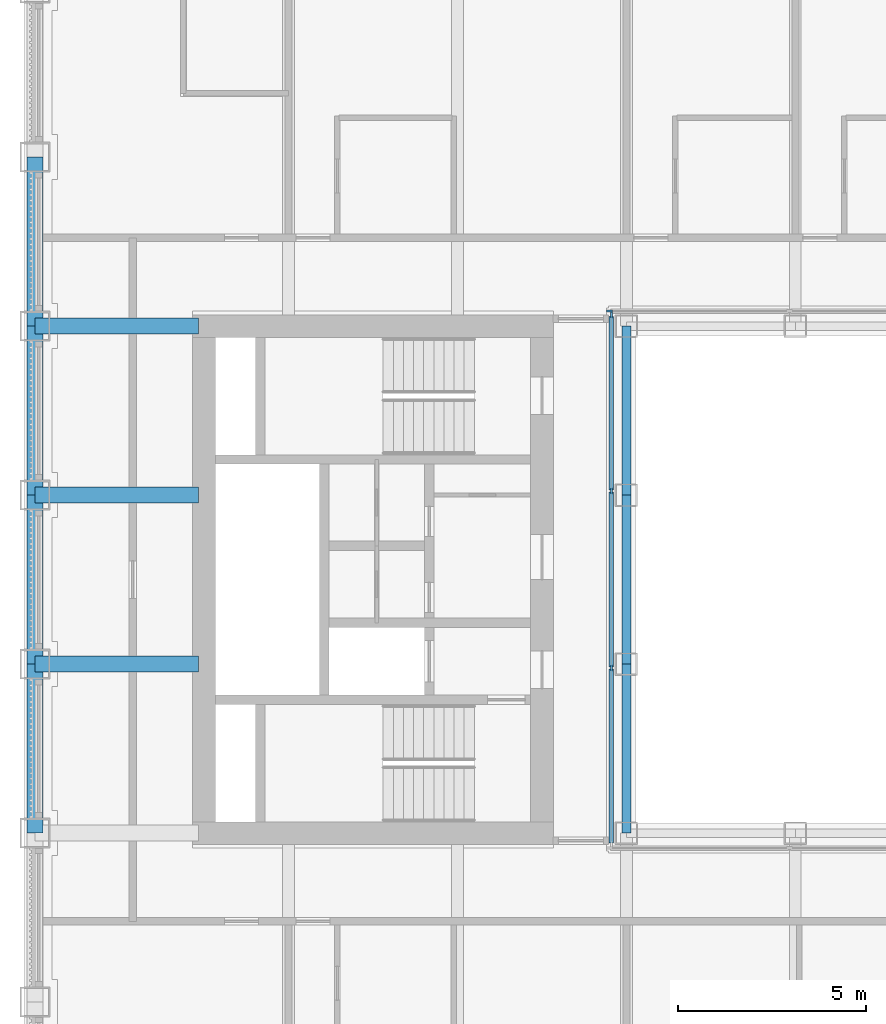
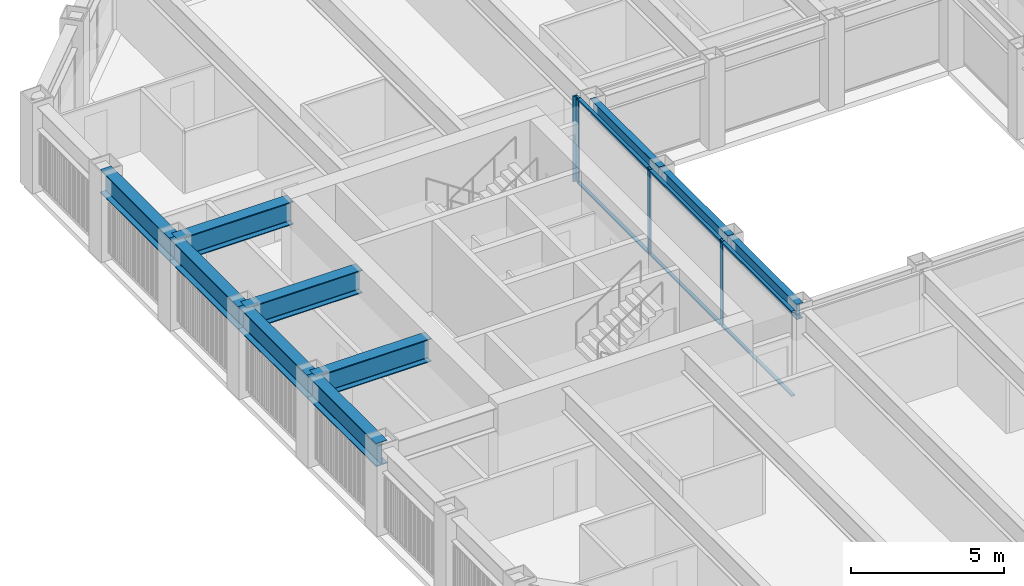
# One storey, part 4 of 17: 10 beams, 10 members, 2 elements without a shape of their own.
"""IFC4 building model written with IfcOpenShell, lengths in metres."""

from ifc_helpers import new_model, si_unit, direction, frame, origin, origin_2d, place, context, subcontext, project, spatial, rectangle, i_section, extrude, material, material_profile, profile_set, type_object, element, aggregate, save


model = new_model("IFC4")

# Units and contexts
model_context = context("Model", 3, precision=1e-05, world=origin(), true_north=direction((0.0, 1.0)))
body_context = subcontext(model_context, "Body", "Model", "MODEL_VIEW")
ifc_project = project(units=[si_unit("LENGTHUNIT", "METRE"), si_unit("AREAUNIT", "SQUARE_METRE"), si_unit("VOLUMEUNIT", "CUBIC_METRE"), si_unit("PLANEANGLEUNIT", "RADIAN"), si_unit("MASSUNIT", "GRAM", prefix="KILO")], contexts=[model_context])

# Site, building, storey
site_placement = place(None, origin())
site = spatial("IfcSite", under=ifc_project, at=site_placement, CompositionType="ELEMENT")
building_placement = place(site_placement, origin())
building = spatial("IfcBuilding", under=site, at=building_placement, Name="Msasa Ring Tower", CompositionType="ELEMENT")
storey_placement = place(building_placement, frame((0.0, 0.0, 168.800048828125)))
storey = spatial("IfcBuildingStorey", under=building, at=storey_placement, Name="L44", CompositionType="ELEMENT", Elevation=168.800048828125)

# Curtain wall, member
ifc_material_1 = material(Name="Aluminium curtain wall with clear glass", Category="aluminium")
curtain_wall_type = type_object("IfcCurtainWallType", Name="CW-W LIGHT WELL CURTAIN WALL", PredefinedType="NOTDEFINED", material=ifc_material_1)
curtain_wall_1_placement = place(storey_placement, origin())
curtain_wall_1 = element("IfcCurtainWall", 1, at=curtain_wall_1_placement, inside=storey, type_object=curtain_wall_type, Name="Light well curtain wall N L44", PredefinedType="NOTDEFINED")
ifc_material_2 = material(Name="Aluminium mullion", Category="aluminium")
ifc_material_profile_1 = material_profile(ifc_material_2, rectangle(XDim=0.06005859375, YDim=0.159912109375, at=origin_2d()), Name="AL 60x160")
ifc_profile_set_1 = profile_set([ifc_material_profile_1], Name="Aluminium mullion")
member_type_1 = type_object("IfcMemberType", Name="CW-W MULLION 60x160", PredefinedType="MULLION", material=ifc_profile_set_1)
member_1_placement = place(storey_placement, frame((-7.199951171875, 7.14990234375, 0.0), z_axis=(0.0, 0.0, 1.0), x_axis=(0.0, 1.0, 0.0)))
member_1 = element("IfcMember", 2, at=member_1_placement, type_object=member_type_1, Name="CW-W mullion 1", PredefinedType="MULLION", context=body_context, shape_type="SweptSolid", body=[
    extrude(rectangle(XDim=0.06005859375, YDim=0.159912109375, at=origin_2d()), origin(), (0.0, 0.0, 1.0), 3.39990234375),
])
aggregate(curtain_wall_1, [member_1])

# Curtain wall, members
curtain_wall_2_placement = place(storey_placement, origin())
curtain_wall_2 = element("IfcCurtainWall", 3, at=curtain_wall_2_placement, inside=storey, type_object=curtain_wall_type, Name="Light well curtain wall W L44", PredefinedType="NOTDEFINED")
member_2_placement = place(storey_placement, frame((-7.14990234375, -2.356689453125, 0.0), z_axis=(0.0, 0.0, 1.0), x_axis=(-1.0, 0.0, 0.0)))
member_2 = element("IfcMember", 4, at=member_2_placement, type_object=member_type_1, Name="CW-W mullion 2", PredefinedType="MULLION", context=body_context, shape_type="SweptSolid", body=[
    extrude(rectangle(XDim=0.06005859375, YDim=0.159912109375, at=origin_2d()), origin(), (0.0, 0.0, 1.0), 3.39990234375),
])
member_3_placement = place(storey_placement, frame((-7.14990234375, 2.356689453125, 0.0), z_axis=(0.0, 0.0, 1.0), x_axis=(-1.0, 0.0, 0.0)))
member_3 = element("IfcMember", 5, at=member_3_placement, type_object=member_type_1, Name="CW-W mullion 3", PredefinedType="MULLION", context=body_context, shape_type="SweptSolid", body=[
    extrude(rectangle(XDim=0.06005859375, YDim=0.159912109375, at=origin_2d()), origin(), (0.0, 0.0, 1.0), 3.39990234375),
])
member_4_placement = place(storey_placement, frame((-7.14990234375, 7.0400390625, 0.0), z_axis=(0.0, 0.0, 1.0), x_axis=(-1.0, 0.0, 0.0)))
member_4 = element("IfcMember", 6, at=member_4_placement, type_object=member_type_1, Name="CW-W mullion 4", PredefinedType="MULLION", context=body_context, shape_type="SweptSolid", body=[
    extrude(rectangle(XDim=0.06005859375, YDim=0.159912109375, at=origin_2d()), origin(), (0.0, 0.0, 1.0), 3.39990234375),
])
ifc_material_3 = material(Name="Aluminium transom", Category="aluminium")
ifc_material_profile_2 = material_profile(ifc_material_3, rectangle(XDim=0.1201171875, YDim=0.06005859375, at=origin_2d()), Name="AL 60x120")
ifc_profile_set_2 = profile_set([ifc_material_profile_2], Name="Aluminium transom")
member_type_2 = type_object("IfcMemberType", Name="CW-W TRANSOM 60x120", PredefinedType="USERDEFINED", material=ifc_profile_set_2)
member_5_placement = place(storey_placement, frame((-7.14990234375, -7.010009765625, 0.030029296875), z_axis=(0.0, 1.0, 0.0), x_axis=(-1.0, 0.0, 0.0)))
member_5 = element("IfcMember", 7, at=member_5_placement, type_object=member_type_2, Name="CW-W transom 1.1", ObjectType="TRANSOM", PredefinedType="USERDEFINED", context=body_context, shape_type="SweptSolid", body=[
    extrude(rectangle(XDim=0.1201171875, YDim=0.06005859375, at=origin_2d()), origin(), (0.0, 0.0, 1.0), 4.623291015625),
])
member_6_placement = place(storey_placement, frame((-7.14990234375, -7.010009765625, 3.369873046875), z_axis=(0.0, 1.0, 0.0), x_axis=(-1.0, 0.0, 0.0)))
member_6 = element("IfcMember", 8, at=member_6_placement, type_object=member_type_2, Name="CW-W transom 1.2", ObjectType="TRANSOM", PredefinedType="USERDEFINED", context=body_context, shape_type="SweptSolid", body=[
    extrude(rectangle(XDim=0.1201171875, YDim=0.06005859375, at=origin_2d()), origin(), (0.0, 0.0, 1.0), 4.623291015625),
])
member_7_placement = place(storey_placement, frame((-7.14990234375, -2.32666015625, 0.030029296875), z_axis=(0.0, 1.0, 0.0), x_axis=(-1.0, 0.0, 0.0)))
member_7 = element("IfcMember", 9, at=member_7_placement, type_object=member_type_2, Name="CW-W transom 2.1", ObjectType="TRANSOM", PredefinedType="USERDEFINED", context=body_context, shape_type="SweptSolid", body=[
    extrude(rectangle(XDim=0.1201171875, YDim=0.06005859375, at=origin_2d()), origin(), (0.0, 0.0, 1.0), 4.6533203125),
])
member_8_placement = place(storey_placement, frame((-7.14990234375, -2.32666015625, 3.369873046875), z_axis=(0.0, 1.0, 0.0), x_axis=(-1.0, 0.0, 0.0)))
member_8 = element("IfcMember", 10, at=member_8_placement, type_object=member_type_2, Name="CW-W transom 2.2", ObjectType="TRANSOM", PredefinedType="USERDEFINED", context=body_context, shape_type="SweptSolid", body=[
    extrude(rectangle(XDim=0.1201171875, YDim=0.06005859375, at=origin_2d()), origin(), (0.0, 0.0, 1.0), 4.6533203125),
])
member_9_placement = place(storey_placement, frame((-7.14990234375, 2.38671875, 0.030029296875), z_axis=(0.0, 1.0, 0.0), x_axis=(-1.0, 0.0, 0.0)))
member_9 = element("IfcMember", 11, at=member_9_placement, type_object=member_type_2, Name="CW-W transom 3.1", ObjectType="TRANSOM", PredefinedType="USERDEFINED", context=body_context, shape_type="SweptSolid", body=[
    extrude(rectangle(XDim=0.1201171875, YDim=0.06005859375, at=origin_2d()), origin(), (0.0, 0.0, 1.0), 4.623291015625),
])
member_10_placement = place(storey_placement, frame((-7.14990234375, 2.38671875, 3.369873046875), z_axis=(0.0, 1.0, 0.0), x_axis=(-1.0, 0.0, 0.0)))
member_10 = element("IfcMember", 12, at=member_10_placement, type_object=member_type_2, Name="CW-W transom 3.2", ObjectType="TRANSOM", PredefinedType="USERDEFINED", context=body_context, shape_type="SweptSolid", body=[
    extrude(rectangle(XDim=0.1201171875, YDim=0.06005859375, at=origin_2d()), origin(), (0.0, 0.0, 1.0), 4.623291015625),
])
aggregate(curtain_wall_2, [member_2, member_3, member_4, member_5, member_6, member_7, member_8, member_9, member_10])

# Beams
ifc_material_4 = material(Name="Steel S355", Category="steel")
ifc_material_profile_3 = material_profile(ifc_material_4, i_section(OverallWidth=0.42041015625, OverallDepth=0.9208984375, WebThickness=0.021484375, FlangeThickness=0.03662109375, FilletRadius=0.024169921875, at=origin_2d()), Name="UB 914x419x388")
ifc_profile_set_3 = profile_set([ifc_material_profile_3], Name="Steel S355")
beam_type_1 = type_object("IfcBeamType", Name="FB2 UB 914x419x388", PredefinedType="BEAM", material=ifc_profile_set_3)
for number, where, z_axis, x_axis, name in (
    (13, (-22.5, -2.25, 2.939453125), (1.0, 0.0, 0.0), (0.0, 1.0, 0.0), "Floor beam W -2.25 under L45"),
    (14, (-22.5, 2.25, 2.939453125), (1.0, 0.0, 0.0), (0.0, 1.0, 0.0), "Floor beam W +2.25 under L45"),
):
    element("IfcBeam", number, at=place(storey_placement, frame(where, z_axis=z_axis, x_axis=x_axis)), inside=storey, type_object=beam_type_1, Name=name, PredefinedType="BEAM", context=body_context, shape_type="SweptSolid", body=[
        extrude(i_section(OverallWidth=0.42041015625, OverallDepth=0.9208984375, WebThickness=0.021484375, FlangeThickness=0.03662109375, FilletRadius=0.024169921875, at=origin_2d()), origin(), (0.0, 0.0, 1.0), 4.35009765625),
    ])
ifc_material_5 = material(Name="Steel S355", Category="steel")
ifc_material_profile_4 = material_profile(ifc_material_5, i_section(OverallWidth=0.42041015625, OverallDepth=0.9208984375, WebThickness=0.021484375, FlangeThickness=0.03662109375, FilletRadius=0.024169921875, at=origin_2d()), Name="UB 914x419x388")
ifc_profile_set_4 = profile_set([ifc_material_profile_4], Name="Steel S355")
beam_type_2 = type_object("IfcBeamType", Name="GB1 UB 914x419x388", PredefinedType="BEAM", material=ifc_profile_set_4)
beam_placement = place(storey_placement, frame((-18.14990234375, 6.75, 2.939453125), z_axis=(-1.0, 0.0, 0.0), x_axis=(0.0, -1.0, 0.0)))
element("IfcBeam", 15, at=beam_placement, inside=storey, type_object=beam_type_2, Name="Girder W +6.75 under L45", PredefinedType="BEAM", context=body_context, shape_type="SweptSolid", body=[
    extrude(i_section(OverallWidth=0.42041015625, OverallDepth=0.9208984375, WebThickness=0.021484375, FlangeThickness=0.03662109375, FilletRadius=0.024169921875, at=origin_2d()), origin(), (0.0, 0.0, 1.0), 4.35009765625),
])
ifc_material_6 = material(Name="Steel S355", Category="steel")
ifc_material_profile_5 = material_profile(ifc_material_6, i_section(OverallWidth=0.230224609375, OverallDepth=0.6171875, WebThickness=0.01318359375, FlangeThickness=0.022216796875, FilletRadius=0.0126953125, at=origin_2d()), Name="UB 610x229x140")
ifc_profile_set_5 = profile_set([ifc_material_profile_5], Name="Steel S355")
beam_type_3 = type_object("IfcBeamType", Name="RB1 UB 610x229x140", PredefinedType="BEAM", material=ifc_profile_set_5)
for number, where, z_axis, x_axis, name in (
    (16, (-6.75, -2.25, 3.09130859375), (0.0, -1.0, 0.0), (1.0, 0.0, 0.0), "Inner ring beam IR-6.75-2.25 under L45"),
    (17, (-6.75, 6.75, 3.09130859375), (0.0, -1.0, 0.0), (1.0, 0.0, 0.0), "Inner ring beam IR-6.75+6.75 under L45"),
    (18, (-6.75, 2.25, 3.09130859375), (0.0, -1.0, 0.0), (1.0, 0.0, 0.0), "Inner ring beam IR-6.75+2.25 under L45"),
):
    element("IfcBeam", number, at=place(storey_placement, frame(where, z_axis=z_axis, x_axis=x_axis)), inside=storey, type_object=beam_type_3, Name=name, PredefinedType="BEAM", context=body_context, shape_type="SweptSolid", body=[
        extrude(i_section(OverallWidth=0.230224609375, OverallDepth=0.6171875, WebThickness=0.01318359375, FlangeThickness=0.022216796875, FilletRadius=0.0126953125, at=origin_2d()), origin(), (0.0, 0.0, 1.0), 4.5),
    ])
ifc_material_7 = material(Name="Steel S355", Category="steel")
ifc_material_profile_6 = material_profile(ifc_material_7, i_section(OverallWidth=0.42041015625, OverallDepth=0.9208984375, WebThickness=0.021484375, FlangeThickness=0.03662109375, FilletRadius=0.024169921875, at=origin_2d()), Name="UB 914x419x388")
ifc_profile_set_6 = profile_set([ifc_material_profile_6], Name="Steel S355")
beam_type_4 = type_object("IfcBeamType", Name="SB1 UB 914x419x388", PredefinedType="SPANDREL", material=ifc_profile_set_6)
for number, where, z_axis, x_axis, name in (
    (19, (-22.5, -2.25, 2.939453125), (0.0, -1.0, 0.0), (1.0, 0.0, 0.0), "Spandrel W-2.25 to W-6.75 under L45"),
    (20, (-22.5, 11.25, 2.939453125), (0.0, -1.0, 0.0), (1.0, 0.0, 0.0), "Spandrel W+11.25 to W+6.75 under L45"),
    (21, (-22.5, 6.75, 2.939453125), (0.0, -1.0, 0.0), (1.0, 0.0, 0.0), "Spandrel W+6.75 to W+2.25 under L45"),
    (22, (-22.5, 2.25, 2.939453125), (0.0, -1.0, 0.0), (1.0, 0.0, 0.0), "Spandrel W+2.25 to W-2.25 under L45"),
):
    element("IfcBeam", number, at=place(storey_placement, frame(where, z_axis=z_axis, x_axis=x_axis)), inside=storey, type_object=beam_type_4, Name=name, PredefinedType="SPANDREL", context=body_context, shape_type="SweptSolid", body=[
        extrude(i_section(OverallWidth=0.42041015625, OverallDepth=0.9208984375, WebThickness=0.021484375, FlangeThickness=0.03662109375, FilletRadius=0.024169921875, at=origin_2d()), origin(), (0.0, 0.0, 1.0), 4.5),
    ])

save(model, "model.ifc")
